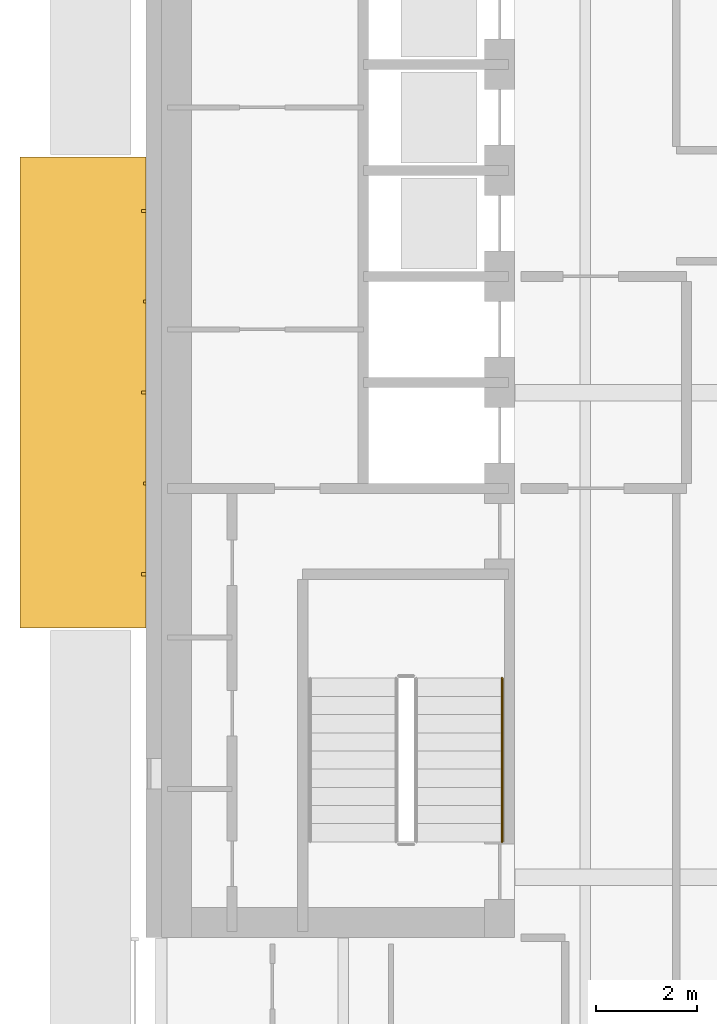
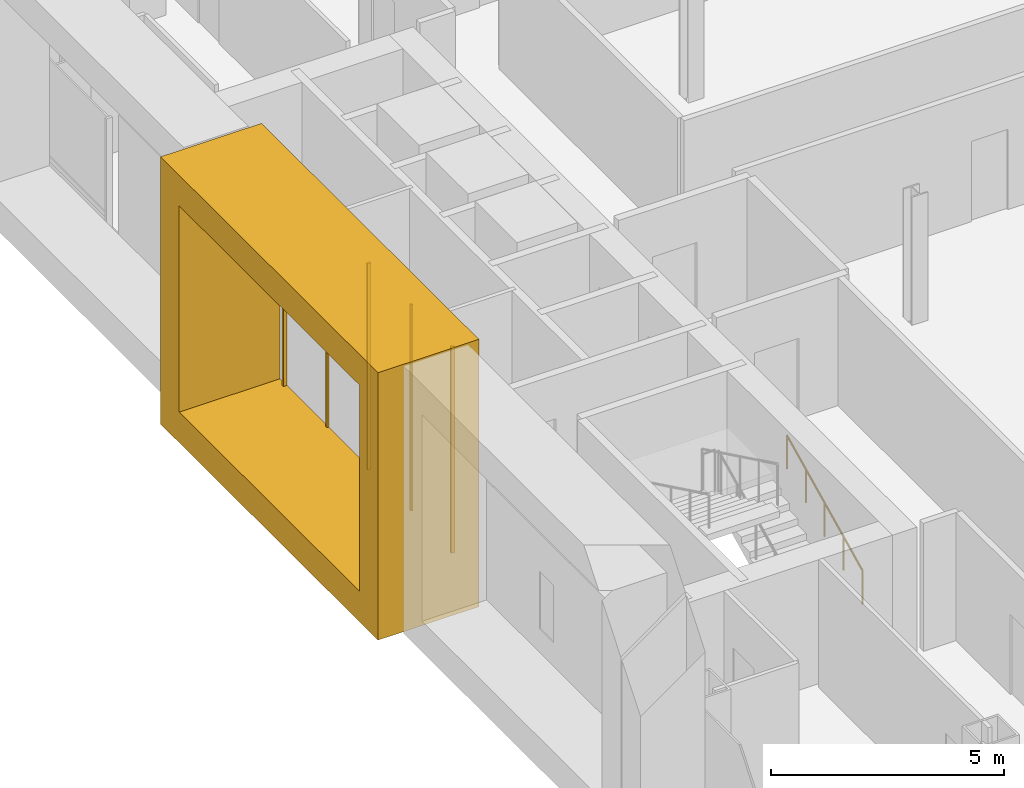
# One storey, part 16 of 20: 6 coverings, 1 railing.
"""IFC4 building model written with IfcOpenShell, lengths in metres."""

from ifc_helpers import new_model, si_unit, direction, frame, origin, origin_2d, place, context, subcontext, project, spatial, polyline, rectangle, circle, outline, extrude, material, type_object, element, save


model = new_model("IFC4")

# Units and contexts
model_context = context("Model", 3, precision=1e-05, world=origin(), true_north=direction((0.0, 1.0)))
body_context = subcontext(model_context, "Body", "Model", "MODEL_VIEW")
ifc_project = project(units=[si_unit("LENGTHUNIT", "METRE"), si_unit("AREAUNIT", "SQUARE_METRE"), si_unit("VOLUMEUNIT", "CUBIC_METRE"), si_unit("PLANEANGLEUNIT", "RADIAN"), si_unit("MASSUNIT", "GRAM", prefix="KILO")], contexts=[model_context])

# Site, building, storey
site_placement = place(None, origin())
site = spatial("IfcSite", under=ifc_project, at=site_placement, CompositionType="ELEMENT")
building_placement = place(site_placement, origin())
building = spatial("IfcBuilding", under=site, at=building_placement, Name="Cobrizo Arcos Hotel Tower", CompositionType="ELEMENT")
storey_placement = place(building_placement, frame((0.0, 0.0, 110.0)))
storey = spatial("IfcBuildingStorey", under=building, at=storey_placement, Name="L27", CompositionType="ELEMENT", Elevation=110.0)

# Coverings
ifc_material_1 = material(Name="Aluminium 6063-T6 anodised bronze", Category="aluminium")
covering_type_1 = type_object("IfcCoveringType", Name="FIN-F 2500", PredefinedType="CLADDING", material=ifc_material_1)
covering_placement = place(storey_placement, frame((-23.10009765625, 4.66259765625, 0.0), z_axis=(-1.0, 0.0, 0.0), x_axis=(0.0, -1.0, 0.0)))
element("IfcCovering", 1, at=covering_placement, inside=storey, type_object=covering_type_1, Name="Fin frame 161", PredefinedType="CLADDING", context=body_context, shape_type="SweptSolid", body=[
    extrude(outline(polyline([(0.0, 7.0), (0.0, 0.0), (9.324951171875, 0.0), (9.324951171875, 7.0), (0.0, 7.0)]), holes=[polyline([(8.52490234375, 0.800048828125), (0.800048828125, 0.800048828125), (0.800048828125, 6.199951171875), (8.52490234375, 6.199951171875), (8.52490234375, 0.800048828125)])]), origin(), (0.0, 0.0, 1.0), 2.5),
])
ifc_material_2 = material(Name="Aluminium 6063-T6 anodised pale", Category="aluminium")
covering_type_2 = type_object("IfcCoveringType", Name="RS-1 rainscreen rib 60x90", PredefinedType="CLADDING", material=ifc_material_2)
for number, where, z_axis, x_axis, name in (
    (2, (-23.14501953125, 3.60009765625, 0.800048828125), (0.0, 0.0, 1.0), (0.0, -1.0, 0.0), "Rainscreen rib 159"),
    (3, (-23.14501953125, 0.0, 0.800048828125), (0.0, 0.0, 1.0), (0.0, -1.0, 0.0), "Rainscreen rib 161"),
    (4, (-23.14501953125, -3.60009765625, 0.800048828125), (0.0, 0.0, 1.0), (0.0, -1.0, 0.0), "Rainscreen rib 163"),
):
    element("IfcCovering", number, at=place(storey_placement, frame(where, z_axis=z_axis, x_axis=x_axis)), inside=storey, type_object=covering_type_2, Name=name, PredefinedType="CLADDING", context=body_context, shape_type="SweptSolid", body=[
        extrude(rectangle(XDim=0.06005859375, YDim=0.090087890625, at=origin_2d()), origin(), (0.0, 0.0, 1.0), 5.39990234375),
    ])
covering_type_3 = type_object("IfcCoveringType", Name="RS-2 rainscreen rib 60x50", PredefinedType="CLADDING", material=ifc_material_2)
for number, where, z_axis, x_axis, name in (
    (5, (-23.125, 1.800048828125, 0.800048828125), (0.0, 0.0, 1.0), (0.0, -1.0, 0.0), "Rainscreen rib 160"),
    (6, (-23.125, -1.800048828125, 0.800048828125), (0.0, 0.0, 1.0), (0.0, -1.0, 0.0), "Rainscreen rib 162"),
):
    element("IfcCovering", number, at=place(storey_placement, frame(where, z_axis=z_axis, x_axis=x_axis)), inside=storey, type_object=covering_type_3, Name=name, PredefinedType="CLADDING", context=body_context, shape_type="SweptSolid", body=[
        extrude(rectangle(XDim=0.06005859375, YDim=0.050048828125, at=origin_2d()), origin(), (0.0, 0.0, 1.0), 5.39990234375),
    ])

# Railing
ifc_material_3 = material(Name="Stainless steel railing", Category="steel")
railing_type = type_object("IfcRailingType", Name="Stair handrail", PredefinedType="HANDRAIL", material=ifc_material_3)
railing_placement = place(storey_placement, frame((-16.050048828125, -8.89990234375, 0.175048828125)))
element("IfcRailing", 7, at=railing_placement, inside=storey, type_object=railing_type, Name="L27 ST-W stair handrail 1", PredefinedType="HANDRAIL", context=body_context, shape_type="SweptSolid", body=[
    extrude(circle(Radius=0.02392578125, at=origin_2d()), frame((0.0, 0.0, 0.8759765625), z_axis=(0.0, 0.899372665325, 0.437182809435), x_axis=(-1.0, 0.0, 0.0)), (0.0, 0.0, 1.0), 3.6025390625),
    extrude(circle(Radius=0.02099609375, at=origin_2d()), origin(), (0.0, 0.0, 1.0), 0.851806640625),
    extrude(circle(Radius=0.02099609375, at=origin_2d()), frame((0.0, 0.81005859375, 0.393798828125)), (0.0, 0.0, 1.0), 0.851806640625),
    extrude(circle(Radius=0.02099609375, at=origin_2d()), frame((0.0, 1.6201171875, 0.78759765625)), (0.0, 0.0, 1.0), 0.851806640625),
    extrude(circle(Radius=0.02099609375, at=origin_2d()), frame((0.0, 2.429931640625, 1.18115234375)), (0.0, 0.0, 1.0), 0.851806640625),
    extrude(circle(Radius=0.02099609375, at=origin_2d()), frame((0.0, 3.239990234375, 1.574951171875)), (0.0, 0.0, 1.0), 0.851806640625),
])

save(model, "model.ifc")
